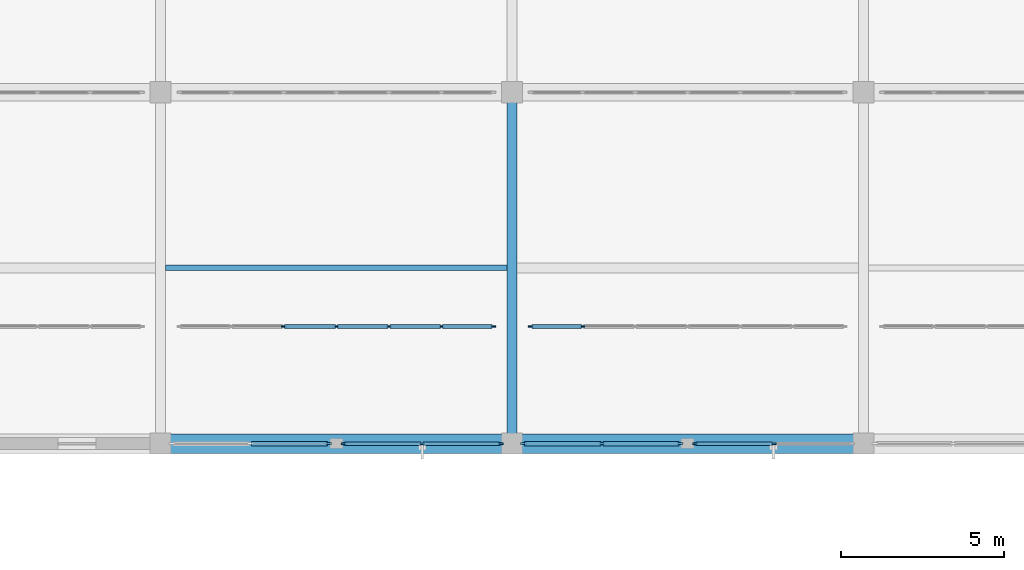
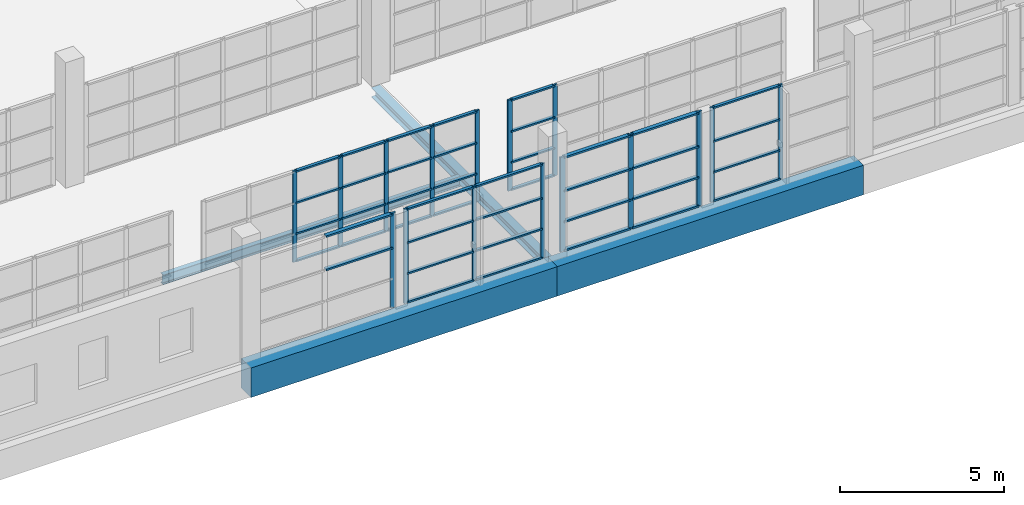
# One storey, part 44 of 142: 58 members, 4 beams, 6 elements without a shape of their own.
"""IFC4 building model written with IfcOpenShell, lengths in metres."""

from ifc_helpers import new_model, si_unit, direction, frame, origin, origin_2d, place, context, subcontext, project, spatial, rectangle, i_section, extrude, material, material_profile, profile_set, type_object, element, aggregate, save


model = new_model("IFC4")

# Units and contexts
model_context = context("Model", 3, precision=1e-05, world=origin(), true_north=direction((0.0, 1.0)))
body_context = subcontext(model_context, "Body", "Model", "MODEL_VIEW")
ifc_project = project(units=[si_unit("LENGTHUNIT", "METRE"), si_unit("AREAUNIT", "SQUARE_METRE"), si_unit("VOLUMEUNIT", "CUBIC_METRE"), si_unit("PLANEANGLEUNIT", "RADIAN"), si_unit("MASSUNIT", "GRAM", prefix="KILO")], contexts=[model_context])

# Site, building, storey
site_placement = place(None, origin())
site = spatial("IfcSite", under=ifc_project, at=site_placement, CompositionType="ELEMENT")
building_placement = place(site_placement, origin())
building = spatial("IfcBuilding", under=site, at=building_placement, Name="Zwinboog Wholesale Market", CompositionType="ELEMENT")
storey_placement = place(building_placement, frame((0.0, 0.0, 5.39990234375)))
storey = spatial("IfcBuildingStorey", under=building, at=storey_placement, Name="L01", CompositionType="ELEMENT", Elevation=5.39990234375)

# Beams
ifc_material_1 = material(Name="Precast concrete C45/55", Category="concrete")
ifc_material_profile_1 = material_profile(ifc_material_1, rectangle(XDim=0.60009765625, YDim=1.10009765625, at=origin_2d()), Name="PC 600x1100")
ifc_profile_set_1 = profile_set([ifc_material_profile_1], Name="Precast concrete C45/55")
beam_type_1 = type_object("IfcBeamType", Name="BT-01", PredefinedType="BEAM", material=ifc_profile_set_1)
for number, where, z_axis, x_axis, name in (
    (1, (108.0, 86.39990234375, -0.829833984375), (1.0, 0.0, 0.0), (0.0, 1.0, 0.0), "BG-01 (BMG-L01-1080-0864-0519)"),
    (2, (118.800048828125, 86.39990234375, -0.829833984375), (1.0, 0.0, 0.0), (0.0, 1.0, 0.0), "BG-01 (BMG-L01-1188-0864-0520)"),
):
    element("IfcBeam", number, at=place(storey_placement, frame(where, z_axis=z_axis, x_axis=x_axis)), inside=storey, type_object=beam_type_1, Name=name, PredefinedType="BEAM", context=body_context, shape_type="SweptSolid", body=[
        extrude(rectangle(XDim=0.60009765625, YDim=1.10009765625, at=origin_2d()), origin(), (0.0, 0.0, 1.0), 10.800048828125),
    ])
ifc_material_2 = material(Name="Steel S355", Category="steel")
ifc_material_profile_2 = material_profile(ifc_material_2, i_section(OverallWidth=0.300048828125, OverallDepth=0.35009765625, WebThickness=0.010009765625, FlangeThickness=0.017578125, FilletRadius=0.027099609375, at=origin_2d()), Name="HEA 360")
ifc_profile_set_2 = profile_set([ifc_material_profile_2], Name="Steel S355")
beam_type_2 = type_object("IfcBeamType", Name="BT-17", PredefinedType="BEAM", material=ifc_profile_set_2)
beam_1_placement = place(storey_placement, frame((118.800048828125, 86.39990234375, -0.454833984375), z_axis=(0.0, 1.0, 0.0), x_axis=(-1.0, 0.0, 0.0)))
element("IfcBeam", 3, at=beam_1_placement, inside=storey, type_object=beam_type_2, Name="SB-04 (BMG-L01-1188-0864-0699)", PredefinedType="BEAM", context=body_context, shape_type="SweptSolid", body=[
    extrude(i_section(OverallWidth=0.300048828125, OverallDepth=0.35009765625, WebThickness=0.010009765625, FlangeThickness=0.017578125, FilletRadius=0.027099609375, at=origin_2d()), origin(), (0.0, 0.0, 1.0), 10.800048828125),
])
ifc_material_profile_3 = material_profile(ifc_material_2, i_section(OverallWidth=0.169921875, OverallDepth=0.360107421875, WebThickness=0.008056640625, FlangeThickness=0.0126953125, FilletRadius=0.01806640625, at=origin_2d()), Name="IPE 360")
ifc_profile_set_3 = profile_set([ifc_material_profile_3], Name="Steel S355")
beam_type_3 = type_object("IfcBeamType", Name="BT-20", PredefinedType="JOIST", material=ifc_profile_set_3)
beam_2_placement = place(storey_placement, frame((108.14990234375, 91.800048828125, -0.4599609375), z_axis=(1.0, 0.0, 0.0), x_axis=(0.0, 1.0, 0.0)))
element("IfcBeam", 4, at=beam_2_placement, inside=storey, type_object=beam_type_3, Name="SJ-03 (BMG-L01-1082-0918-0838)", PredefinedType="JOIST", context=body_context, shape_type="SweptSolid", body=[
    extrude(i_section(OverallWidth=0.169921875, OverallDepth=0.360107421875, WebThickness=0.008056640625, FlangeThickness=0.0126953125, FilletRadius=0.01806640625, at=origin_2d()), origin(), (0.0, 0.0, 1.0), 10.5),
])

# Curtain wall, member
ifc_material_3 = material(Name="Aluminium thermally broken curtain wall", Category="aluminium")
curtain_wall_type_1 = type_object("IfcCurtainWallType", Name="CWT-CAFE-22", PredefinedType="USERDEFINED", material=ifc_material_3)
curtain_wall_1_placement = place(storey_placement, origin())
curtain_wall_1 = element("IfcCurtainWall", 5, at=curtain_wall_1_placement, inside=storey, type_object=curtain_wall_type_1, Name="CW-05 (CW-L01-107)", ObjectType="STOREFRONT_GLAZING", PredefinedType="USERDEFINED")
ifc_material_4 = material(Name="Aluminium EN AW-6060", Category="aluminium")
ifc_material_profile_4 = material_profile(ifc_material_4, rectangle(XDim=0.06494140625, YDim=0.179931640625, at=origin_2d()), Name="AL 65x180")
ifc_profile_set_4 = profile_set([ifc_material_profile_4], Name="Aluminium EN AW-6060")
member_type_1 = type_object("IfcMemberType", Name="CWM-65x180", PredefinedType="MULLION", material=ifc_profile_set_4)
member_1_placement = place(storey_placement, frame((113.16748046875, 86.39990234375, 0.0), z_axis=(0.0, 0.0, 1.0), x_axis=(0.0, 1.0, 0.0)))
member_1 = element("IfcMember", 6, at=member_1_placement, type_object=member_type_1, Name="CW-05 mullion 3", PredefinedType="MULLION", context=body_context, shape_type="SweptSolid", body=[
    extrude(rectangle(XDim=0.06494140625, YDim=0.179931640625, at=origin_2d()), origin(), (0.0, 0.0, 1.0), 3.530029296875),
])

# Curtain wall, members
curtain_wall_2_placement = place(storey_placement, origin())
curtain_wall_2 = element("IfcCurtainWall", 7, at=curtain_wall_2_placement, inside=storey, type_object=curtain_wall_type_1, Name="CW-05 (CW-L01-113)", ObjectType="STOREFRONT_GLAZING", PredefinedType="USERDEFINED")
member_2_placement = place(storey_placement, frame((119.152587890625, 86.39990234375, 0.0), z_axis=(0.0, 0.0, 1.0), x_axis=(0.0, 1.0, 0.0)))
member_2 = element("IfcMember", 8, at=member_2_placement, type_object=member_type_1, Name="CW-05 mullion 1", PredefinedType="MULLION", context=body_context, shape_type="SweptSolid", body=[
    extrude(rectangle(XDim=0.06494140625, YDim=0.179931640625, at=origin_2d()), origin(), (0.0, 0.0, 1.0), 3.530029296875),
])
member_3_placement = place(storey_placement, frame((121.56005859375, 86.39990234375, 0.0), z_axis=(0.0, 0.0, 1.0), x_axis=(0.0, 1.0, 0.0)))
member_3 = element("IfcMember", 9, at=member_3_placement, type_object=member_type_1, Name="CW-05 mullion 2", PredefinedType="MULLION", context=body_context, shape_type="SweptSolid", body=[
    extrude(rectangle(XDim=0.06494140625, YDim=0.179931640625, at=origin_2d()), origin(), (0.0, 0.0, 1.0), 3.530029296875),
])
member_4_placement = place(storey_placement, frame((123.967529296875, 86.39990234375, 0.0), z_axis=(0.0, 0.0, 1.0), x_axis=(0.0, 1.0, 0.0)))
member_4 = element("IfcMember", 10, at=member_4_placement, type_object=member_type_1, Name="CW-05 mullion 3", PredefinedType="MULLION", context=body_context, shape_type="SweptSolid", body=[
    extrude(rectangle(XDim=0.06494140625, YDim=0.179931640625, at=origin_2d()), origin(), (0.0, 0.0, 1.0), 3.530029296875),
])

curtain_wall_type_2 = type_object("IfcCurtainWallType", Name="CWT-OFF-15", PredefinedType="USERDEFINED", material=ifc_material_3)
curtain_wall_3_placement = place(storey_placement, origin())
curtain_wall_3 = element("IfcCurtainWall", 11, at=curtain_wall_3_placement, inside=storey, type_object=curtain_wall_type_2, Name="CW-06 (CW-L01-108)", ObjectType="UNITIZED_CURTAIN_WALL", PredefinedType="USERDEFINED")
ifc_material_profile_5 = material_profile(ifc_material_4, rectangle(XDim=0.06005859375, YDim=0.14990234375, at=origin_2d()), Name="AL 60x150")
ifc_profile_set_5 = profile_set([ifc_material_profile_5], Name="Aluminium EN AW-6060")
member_type_2 = type_object("IfcMemberType", Name="CWM-60x150", PredefinedType="MULLION", material=ifc_profile_set_5)
member_5_placement = place(storey_placement, frame((113.6298828125, 86.39990234375, 0.0), z_axis=(0.0, 0.0, 1.0), x_axis=(0.0, 1.0, 0.0)))
member_5 = element("IfcMember", 12, at=member_5_placement, type_object=member_type_2, Name="CW-06 mullion 1", PredefinedType="MULLION", context=body_context, shape_type="SweptSolid", body=[
    extrude(rectangle(XDim=0.06005859375, YDim=0.14990234375, at=origin_2d()), origin(), (0.0, 0.0, 1.0), 3.530029296875),
])
member_6_placement = place(storey_placement, frame((116.0400390625, 86.39990234375, 0.0), z_axis=(0.0, 0.0, 1.0), x_axis=(0.0, 1.0, 0.0)))
member_6 = element("IfcMember", 13, at=member_6_placement, type_object=member_type_2, Name="CW-06 mullion 2", PredefinedType="MULLION", context=body_context, shape_type="SweptSolid", body=[
    extrude(rectangle(XDim=0.06005859375, YDim=0.14990234375, at=origin_2d()), origin(), (0.0, 0.0, 1.0), 3.530029296875),
])
member_7_placement = place(storey_placement, frame((118.449951171875, 86.39990234375, 0.0), z_axis=(0.0, 0.0, 1.0), x_axis=(0.0, 1.0, 0.0)))
member_7 = element("IfcMember", 14, at=member_7_placement, type_object=member_type_2, Name="CW-06 mullion 3", PredefinedType="MULLION", context=body_context, shape_type="SweptSolid", body=[
    extrude(rectangle(XDim=0.06005859375, YDim=0.14990234375, at=origin_2d()), origin(), (0.0, 0.0, 1.0), 3.530029296875),
])

curtain_wall_4_placement = place(storey_placement, origin())
curtain_wall_4 = element("IfcCurtainWall", 15, at=curtain_wall_4_placement, inside=storey, type_object=curtain_wall_type_2, Name="CW-06 (CW-L01-114)", ObjectType="UNITIZED_CURTAIN_WALL", PredefinedType="USERDEFINED")
member_8_placement = place(storey_placement, frame((124.429931640625, 86.39990234375, 0.0), z_axis=(0.0, 0.0, 1.0), x_axis=(0.0, 1.0, 0.0)))
member_8 = element("IfcMember", 16, at=member_8_placement, type_object=member_type_2, Name="CW-06 mullion 1", PredefinedType="MULLION", context=body_context, shape_type="SweptSolid", body=[
    extrude(rectangle(XDim=0.06005859375, YDim=0.14990234375, at=origin_2d()), origin(), (0.0, 0.0, 1.0), 3.530029296875),
])
member_9_placement = place(storey_placement, frame((126.840087890625, 86.39990234375, 0.0), z_axis=(0.0, 0.0, 1.0), x_axis=(0.0, 1.0, 0.0)))
member_9 = element("IfcMember", 17, at=member_9_placement, type_object=member_type_2, Name="CW-06 mullion 2", PredefinedType="MULLION", context=body_context, shape_type="SweptSolid", body=[
    extrude(rectangle(XDim=0.06005859375, YDim=0.14990234375, at=origin_2d()), origin(), (0.0, 0.0, 1.0), 3.530029296875),
])

# Member
ifc_material_profile_6 = material_profile(ifc_material_4, rectangle(XDim=0.139892578125, YDim=0.06494140625, at=origin_2d()), Name="AL 65x140")
ifc_profile_set_6 = profile_set([ifc_material_profile_6], Name="Aluminium EN AW-6060")
member_type_3 = type_object("IfcMemberType", Name="CWT-65x140", PredefinedType="USERDEFINED", material=ifc_profile_set_6)
member_10_placement = place(storey_placement, frame((110.79248046875, 86.39990234375, 2.25), z_axis=(1.0, 0.0, 0.0), x_axis=(0.0, 1.0, 0.0)))
member_10 = element("IfcMember", 18, at=member_10_placement, type_object=member_type_3, Name="CW-05 transom 2.3", ObjectType="TRANSOM", PredefinedType="USERDEFINED", context=body_context, shape_type="SweptSolid", body=[
    extrude(rectangle(XDim=0.139892578125, YDim=0.06494140625, at=origin_2d()), origin(), (0.0, 0.0, 1.0), 2.342529296875),
])

member_11_placement = place(storey_placement, frame((110.79248046875, 86.39990234375, 3.49755859375), z_axis=(1.0, 0.0, 0.0), x_axis=(0.0, 1.0, 0.0)))
member_11 = element("IfcMember", 19, at=member_11_placement, type_object=member_type_3, Name="CW-05 transom 2.4", ObjectType="TRANSOM", PredefinedType="USERDEFINED", context=body_context, shape_type="SweptSolid", body=[
    extrude(rectangle(XDim=0.139892578125, YDim=0.06494140625, at=origin_2d()), origin(), (0.0, 0.0, 1.0), 2.342529296875),
])

aggregate(curtain_wall_1, [member_1, member_10, member_11])

member_12_placement = place(storey_placement, frame((119.18505859375, 86.39990234375, 0.03271484375), z_axis=(1.0, 0.0, 0.0), x_axis=(0.0, 1.0, 0.0)))
member_12 = element("IfcMember", 20, at=member_12_placement, type_object=member_type_3, Name="CW-05 transom 1.1", ObjectType="TRANSOM", PredefinedType="USERDEFINED", context=body_context, shape_type="SweptSolid", body=[
    extrude(rectangle(XDim=0.139892578125, YDim=0.06494140625, at=origin_2d()), origin(), (0.0, 0.0, 1.0), 2.342529296875),
])

member_13_placement = place(storey_placement, frame((119.18505859375, 86.39990234375, 1.10009765625), z_axis=(1.0, 0.0, 0.0), x_axis=(0.0, 1.0, 0.0)))
member_13 = element("IfcMember", 21, at=member_13_placement, type_object=member_type_3, Name="CW-05 transom 1.2", ObjectType="TRANSOM", PredefinedType="USERDEFINED", context=body_context, shape_type="SweptSolid", body=[
    extrude(rectangle(XDim=0.139892578125, YDim=0.06494140625, at=origin_2d()), origin(), (0.0, 0.0, 1.0), 2.342529296875),
])

member_14_placement = place(storey_placement, frame((119.18505859375, 86.39990234375, 2.25), z_axis=(1.0, 0.0, 0.0), x_axis=(0.0, 1.0, 0.0)))
member_14 = element("IfcMember", 22, at=member_14_placement, type_object=member_type_3, Name="CW-05 transom 1.3", ObjectType="TRANSOM", PredefinedType="USERDEFINED", context=body_context, shape_type="SweptSolid", body=[
    extrude(rectangle(XDim=0.139892578125, YDim=0.06494140625, at=origin_2d()), origin(), (0.0, 0.0, 1.0), 2.342529296875),
])

member_15_placement = place(storey_placement, frame((119.18505859375, 86.39990234375, 3.49755859375), z_axis=(1.0, 0.0, 0.0), x_axis=(0.0, 1.0, 0.0)))
member_15 = element("IfcMember", 23, at=member_15_placement, type_object=member_type_3, Name="CW-05 transom 1.4", ObjectType="TRANSOM", PredefinedType="USERDEFINED", context=body_context, shape_type="SweptSolid", body=[
    extrude(rectangle(XDim=0.139892578125, YDim=0.06494140625, at=origin_2d()), origin(), (0.0, 0.0, 1.0), 2.342529296875),
])

member_16_placement = place(storey_placement, frame((121.592529296875, 86.39990234375, 0.03271484375), z_axis=(1.0, 0.0, 0.0), x_axis=(0.0, 1.0, 0.0)))
member_16 = element("IfcMember", 24, at=member_16_placement, type_object=member_type_3, Name="CW-05 transom 2.1", ObjectType="TRANSOM", PredefinedType="USERDEFINED", context=body_context, shape_type="SweptSolid", body=[
    extrude(rectangle(XDim=0.139892578125, YDim=0.06494140625, at=origin_2d()), origin(), (0.0, 0.0, 1.0), 2.342529296875),
])

member_17_placement = place(storey_placement, frame((121.592529296875, 86.39990234375, 1.10009765625), z_axis=(1.0, 0.0, 0.0), x_axis=(0.0, 1.0, 0.0)))
member_17 = element("IfcMember", 25, at=member_17_placement, type_object=member_type_3, Name="CW-05 transom 2.2", ObjectType="TRANSOM", PredefinedType="USERDEFINED", context=body_context, shape_type="SweptSolid", body=[
    extrude(rectangle(XDim=0.139892578125, YDim=0.06494140625, at=origin_2d()), origin(), (0.0, 0.0, 1.0), 2.342529296875),
])

member_18_placement = place(storey_placement, frame((121.592529296875, 86.39990234375, 2.25), z_axis=(1.0, 0.0, 0.0), x_axis=(0.0, 1.0, 0.0)))
member_18 = element("IfcMember", 26, at=member_18_placement, type_object=member_type_3, Name="CW-05 transom 2.3", ObjectType="TRANSOM", PredefinedType="USERDEFINED", context=body_context, shape_type="SweptSolid", body=[
    extrude(rectangle(XDim=0.139892578125, YDim=0.06494140625, at=origin_2d()), origin(), (0.0, 0.0, 1.0), 2.342529296875),
])

member_19_placement = place(storey_placement, frame((121.592529296875, 86.39990234375, 3.49755859375), z_axis=(1.0, 0.0, 0.0), x_axis=(0.0, 1.0, 0.0)))
member_19 = element("IfcMember", 27, at=member_19_placement, type_object=member_type_3, Name="CW-05 transom 2.4", ObjectType="TRANSOM", PredefinedType="USERDEFINED", context=body_context, shape_type="SweptSolid", body=[
    extrude(rectangle(XDim=0.139892578125, YDim=0.06494140625, at=origin_2d()), origin(), (0.0, 0.0, 1.0), 2.342529296875),
])

aggregate(curtain_wall_2, [member_2, member_3, member_4, member_12, member_13, member_14, member_15, member_16, member_17, member_18, member_19])

ifc_material_profile_7 = material_profile(ifc_material_4, rectangle(XDim=0.110107421875, YDim=0.06005859375, at=origin_2d()), Name="AL 60x110")
ifc_profile_set_7 = profile_set([ifc_material_profile_7], Name="Aluminium EN AW-6060")
member_type_4 = type_object("IfcMemberType", Name="CWT-60x110", PredefinedType="USERDEFINED", material=ifc_profile_set_7)
member_20_placement = place(storey_placement, frame((113.659912109375, 86.39990234375, 0.030029296875), z_axis=(1.0, 0.0, 0.0), x_axis=(0.0, 1.0, 0.0)))
member_20 = element("IfcMember", 28, at=member_20_placement, type_object=member_type_4, Name="CW-06 transom 1.1", ObjectType="TRANSOM", PredefinedType="USERDEFINED", context=body_context, shape_type="SweptSolid", body=[
    extrude(rectangle(XDim=0.110107421875, YDim=0.06005859375, at=origin_2d()), origin(), (0.0, 0.0, 1.0), 2.35009765625),
])

member_21_placement = place(storey_placement, frame((113.659912109375, 86.39990234375, 1.10009765625), z_axis=(1.0, 0.0, 0.0), x_axis=(0.0, 1.0, 0.0)))
member_21 = element("IfcMember", 29, at=member_21_placement, type_object=member_type_4, Name="CW-06 transom 1.2", ObjectType="TRANSOM", PredefinedType="USERDEFINED", context=body_context, shape_type="SweptSolid", body=[
    extrude(rectangle(XDim=0.110107421875, YDim=0.06005859375, at=origin_2d()), origin(), (0.0, 0.0, 1.0), 2.35009765625),
])

member_22_placement = place(storey_placement, frame((113.659912109375, 86.39990234375, 2.25), z_axis=(1.0, 0.0, 0.0), x_axis=(0.0, 1.0, 0.0)))
member_22 = element("IfcMember", 30, at=member_22_placement, type_object=member_type_4, Name="CW-06 transom 1.3", ObjectType="TRANSOM", PredefinedType="USERDEFINED", context=body_context, shape_type="SweptSolid", body=[
    extrude(rectangle(XDim=0.110107421875, YDim=0.06005859375, at=origin_2d()), origin(), (0.0, 0.0, 1.0), 2.35009765625),
])

member_23_placement = place(storey_placement, frame((113.659912109375, 86.39990234375, 3.5), z_axis=(1.0, 0.0, 0.0), x_axis=(0.0, 1.0, 0.0)))
member_23 = element("IfcMember", 31, at=member_23_placement, type_object=member_type_4, Name="CW-06 transom 1.4", ObjectType="TRANSOM", PredefinedType="USERDEFINED", context=body_context, shape_type="SweptSolid", body=[
    extrude(rectangle(XDim=0.110107421875, YDim=0.06005859375, at=origin_2d()), origin(), (0.0, 0.0, 1.0), 2.35009765625),
])

member_24_placement = place(storey_placement, frame((116.070068359375, 86.39990234375, 0.030029296875), z_axis=(1.0, 0.0, 0.0), x_axis=(0.0, 1.0, 0.0)))
member_24 = element("IfcMember", 32, at=member_24_placement, type_object=member_type_4, Name="CW-06 transom 2.1", ObjectType="TRANSOM", PredefinedType="USERDEFINED", context=body_context, shape_type="SweptSolid", body=[
    extrude(rectangle(XDim=0.110107421875, YDim=0.06005859375, at=origin_2d()), origin(), (0.0, 0.0, 1.0), 2.349853515625),
])

member_25_placement = place(storey_placement, frame((116.070068359375, 86.39990234375, 1.10009765625), z_axis=(1.0, 0.0, 0.0), x_axis=(0.0, 1.0, 0.0)))
member_25 = element("IfcMember", 33, at=member_25_placement, type_object=member_type_4, Name="CW-06 transom 2.2", ObjectType="TRANSOM", PredefinedType="USERDEFINED", context=body_context, shape_type="SweptSolid", body=[
    extrude(rectangle(XDim=0.110107421875, YDim=0.06005859375, at=origin_2d()), origin(), (0.0, 0.0, 1.0), 2.349853515625),
])

member_26_placement = place(storey_placement, frame((116.070068359375, 86.39990234375, 2.25), z_axis=(1.0, 0.0, 0.0), x_axis=(0.0, 1.0, 0.0)))
member_26 = element("IfcMember", 34, at=member_26_placement, type_object=member_type_4, Name="CW-06 transom 2.3", ObjectType="TRANSOM", PredefinedType="USERDEFINED", context=body_context, shape_type="SweptSolid", body=[
    extrude(rectangle(XDim=0.110107421875, YDim=0.06005859375, at=origin_2d()), origin(), (0.0, 0.0, 1.0), 2.349853515625),
])

member_27_placement = place(storey_placement, frame((116.070068359375, 86.39990234375, 3.5), z_axis=(1.0, 0.0, 0.0), x_axis=(0.0, 1.0, 0.0)))
member_27 = element("IfcMember", 35, at=member_27_placement, type_object=member_type_4, Name="CW-06 transom 2.4", ObjectType="TRANSOM", PredefinedType="USERDEFINED", context=body_context, shape_type="SweptSolid", body=[
    extrude(rectangle(XDim=0.110107421875, YDim=0.06005859375, at=origin_2d()), origin(), (0.0, 0.0, 1.0), 2.349853515625),
])

aggregate(curtain_wall_3, [member_5, member_6, member_7, member_20, member_21, member_22, member_23, member_24, member_25, member_26, member_27])

member_28_placement = place(storey_placement, frame((124.4599609375, 86.39990234375, 0.030029296875), z_axis=(1.0, 0.0, 0.0), x_axis=(0.0, 1.0, 0.0)))
member_28 = element("IfcMember", 36, at=member_28_placement, type_object=member_type_4, Name="CW-06 transom 1.1", ObjectType="TRANSOM", PredefinedType="USERDEFINED", context=body_context, shape_type="SweptSolid", body=[
    extrude(rectangle(XDim=0.110107421875, YDim=0.06005859375, at=origin_2d()), origin(), (0.0, 0.0, 1.0), 2.35009765625),
])

member_29_placement = place(storey_placement, frame((124.4599609375, 86.39990234375, 1.10009765625), z_axis=(1.0, 0.0, 0.0), x_axis=(0.0, 1.0, 0.0)))
member_29 = element("IfcMember", 37, at=member_29_placement, type_object=member_type_4, Name="CW-06 transom 1.2", ObjectType="TRANSOM", PredefinedType="USERDEFINED", context=body_context, shape_type="SweptSolid", body=[
    extrude(rectangle(XDim=0.110107421875, YDim=0.06005859375, at=origin_2d()), origin(), (0.0, 0.0, 1.0), 2.35009765625),
])

member_30_placement = place(storey_placement, frame((124.4599609375, 86.39990234375, 2.25), z_axis=(1.0, 0.0, 0.0), x_axis=(0.0, 1.0, 0.0)))
member_30 = element("IfcMember", 38, at=member_30_placement, type_object=member_type_4, Name="CW-06 transom 1.3", ObjectType="TRANSOM", PredefinedType="USERDEFINED", context=body_context, shape_type="SweptSolid", body=[
    extrude(rectangle(XDim=0.110107421875, YDim=0.06005859375, at=origin_2d()), origin(), (0.0, 0.0, 1.0), 2.35009765625),
])

member_31_placement = place(storey_placement, frame((124.4599609375, 86.39990234375, 3.5), z_axis=(1.0, 0.0, 0.0), x_axis=(0.0, 1.0, 0.0)))
member_31 = element("IfcMember", 39, at=member_31_placement, type_object=member_type_4, Name="CW-06 transom 1.4", ObjectType="TRANSOM", PredefinedType="USERDEFINED", context=body_context, shape_type="SweptSolid", body=[
    extrude(rectangle(XDim=0.110107421875, YDim=0.06005859375, at=origin_2d()), origin(), (0.0, 0.0, 1.0), 2.35009765625),
])

aggregate(curtain_wall_4, [member_8, member_9, member_28, member_29, member_30, member_31])

# Curtain wall, members
curtain_wall_type_3 = type_object("IfcCurtainWallType", Name="CWT-INT-STALL", PredefinedType="USERDEFINED", material=ifc_material_3)
curtain_wall_5_placement = place(storey_placement, origin())
curtain_wall_5 = element("IfcCurtainWall", 40, at=curtain_wall_5_placement, inside=storey, type_object=curtain_wall_type_3, Name="CW-07 (CW-STL-239)", ObjectType="STOREFRONT_GLAZING", PredefinedType="USERDEFINED")
ifc_material_profile_8 = material_profile(ifc_material_4, rectangle(XDim=0.06005859375, YDim=0.14990234375, at=origin_2d()), Name="AL 60x150")
ifc_profile_set_8 = profile_set([ifc_material_profile_8], Name="Aluminium EN AW-6060")
member_type_5 = type_object("IfcMemberType", Name="CWM-INT-60x120", PredefinedType="MULLION", material=ifc_profile_set_8)
member_32_placement = place(storey_placement, frame((111.783447265625, 90.0, 0.0), z_axis=(0.0, 0.0, 1.0), x_axis=(0.0, 1.0, 0.0)))
member_32 = element("IfcMember", 41, at=member_32_placement, type_object=member_type_5, Name="CW-07 mullion 3", PredefinedType="MULLION", context=body_context, shape_type="SweptSolid", body=[
    extrude(rectangle(XDim=0.06005859375, YDim=0.14990234375, at=origin_2d()), origin(), (0.0, 0.0, 1.0), 3.400146484375),
])
member_33_placement = place(storey_placement, frame((113.39990234375, 90.0, 0.0), z_axis=(0.0, 0.0, 1.0), x_axis=(0.0, 1.0, 0.0)))
member_33 = element("IfcMember", 42, at=member_33_placement, type_object=member_type_5, Name="CW-07 mullion 4", PredefinedType="MULLION", context=body_context, shape_type="SweptSolid", body=[
    extrude(rectangle(XDim=0.06005859375, YDim=0.14990234375, at=origin_2d()), origin(), (0.0, 0.0, 1.0), 3.400146484375),
])
member_34_placement = place(storey_placement, frame((115.0166015625, 90.0, 0.0), z_axis=(0.0, 0.0, 1.0), x_axis=(0.0, 1.0, 0.0)))
member_34 = element("IfcMember", 43, at=member_34_placement, type_object=member_type_5, Name="CW-07 mullion 5", PredefinedType="MULLION", context=body_context, shape_type="SweptSolid", body=[
    extrude(rectangle(XDim=0.06005859375, YDim=0.14990234375, at=origin_2d()), origin(), (0.0, 0.0, 1.0), 3.400146484375),
])
member_35_placement = place(storey_placement, frame((116.63330078125, 90.0, 0.0), z_axis=(0.0, 0.0, 1.0), x_axis=(0.0, 1.0, 0.0)))
member_35 = element("IfcMember", 44, at=member_35_placement, type_object=member_type_5, Name="CW-07 mullion 6", PredefinedType="MULLION", context=body_context, shape_type="SweptSolid", body=[
    extrude(rectangle(XDim=0.06005859375, YDim=0.14990234375, at=origin_2d()), origin(), (0.0, 0.0, 1.0), 3.400146484375),
])
member_36_placement = place(storey_placement, frame((118.219970703125, 90.0, 0.0), z_axis=(0.0, 0.0, 1.0), x_axis=(0.0, 1.0, 0.0)))
member_36 = element("IfcMember", 45, at=member_36_placement, type_object=member_type_5, Name="CW-07 mullion 7", PredefinedType="MULLION", context=body_context, shape_type="SweptSolid", body=[
    extrude(rectangle(XDim=0.06005859375, YDim=0.14990234375, at=origin_2d()), origin(), (0.0, 0.0, 1.0), 3.400146484375),
])

curtain_wall_6_placement = place(storey_placement, origin())
curtain_wall_6 = element("IfcCurtainWall", 46, at=curtain_wall_6_placement, inside=storey, type_object=curtain_wall_type_3, Name="CW-07 (CW-STL-240)", ObjectType="STOREFRONT_GLAZING", PredefinedType="USERDEFINED")
member_37_placement = place(storey_placement, frame((119.3798828125, 90.0, 0.0), z_axis=(0.0, 0.0, 1.0), x_axis=(0.0, 1.0, 0.0)))
member_37 = element("IfcMember", 47, at=member_37_placement, type_object=member_type_5, Name="CW-07 mullion 1", PredefinedType="MULLION", context=body_context, shape_type="SweptSolid", body=[
    extrude(rectangle(XDim=0.06005859375, YDim=0.14990234375, at=origin_2d()), origin(), (0.0, 0.0, 1.0), 3.400146484375),
])
member_38_placement = place(storey_placement, frame((120.966552734375, 90.0, 0.0), z_axis=(0.0, 0.0, 1.0), x_axis=(0.0, 1.0, 0.0)))
member_38 = element("IfcMember", 48, at=member_38_placement, type_object=member_type_5, Name="CW-07 mullion 2", PredefinedType="MULLION", context=body_context, shape_type="SweptSolid", body=[
    extrude(rectangle(XDim=0.06005859375, YDim=0.14990234375, at=origin_2d()), origin(), (0.0, 0.0, 1.0), 3.400146484375),
])

# Member
ifc_material_profile_9 = material_profile(ifc_material_4, rectangle(XDim=0.110107421875, YDim=0.06005859375, at=origin_2d()), Name="AL 60x110")
ifc_profile_set_9 = profile_set([ifc_material_profile_9], Name="Aluminium EN AW-6060")
member_type_6 = type_object("IfcMemberType", Name="CWT-INT-60x100", PredefinedType="USERDEFINED", material=ifc_profile_set_9)
member_39_placement = place(storey_placement, frame((111.813232421875, 90.0, 0.030029296875), z_axis=(1.0, 0.0, 0.0), x_axis=(0.0, 1.0, 0.0)))
member_39 = element("IfcMember", 49, at=member_39_placement, type_object=member_type_6, Name="CW-07 transom 3.1", ObjectType="TRANSOM", PredefinedType="USERDEFINED", context=body_context, shape_type="SweptSolid", body=[
    extrude(rectangle(XDim=0.110107421875, YDim=0.06005859375, at=origin_2d()), origin(), (0.0, 0.0, 1.0), 1.556884765625),
])

member_40_placement = place(storey_placement, frame((111.813232421875, 90.0, 1.050048828125), z_axis=(1.0, 0.0, 0.0), x_axis=(0.0, 1.0, 0.0)))
member_40 = element("IfcMember", 50, at=member_40_placement, type_object=member_type_6, Name="CW-07 transom 3.2", ObjectType="TRANSOM", PredefinedType="USERDEFINED", context=body_context, shape_type="SweptSolid", body=[
    extrude(rectangle(XDim=0.110107421875, YDim=0.06005859375, at=origin_2d()), origin(), (0.0, 0.0, 1.0), 1.556884765625),
])

member_41_placement = place(storey_placement, frame((111.813232421875, 90.0, 2.2001953125), z_axis=(1.0, 0.0, 0.0), x_axis=(0.0, 1.0, 0.0)))
member_41 = element("IfcMember", 51, at=member_41_placement, type_object=member_type_6, Name="CW-07 transom 3.3", ObjectType="TRANSOM", PredefinedType="USERDEFINED", context=body_context, shape_type="SweptSolid", body=[
    extrude(rectangle(XDim=0.110107421875, YDim=0.06005859375, at=origin_2d()), origin(), (0.0, 0.0, 1.0), 1.556884765625),
])

member_42_placement = place(storey_placement, frame((111.813232421875, 90.0, 3.3701171875), z_axis=(1.0, 0.0, 0.0), x_axis=(0.0, 1.0, 0.0)))
member_42 = element("IfcMember", 52, at=member_42_placement, type_object=member_type_6, Name="CW-07 transom 3.4", ObjectType="TRANSOM", PredefinedType="USERDEFINED", context=body_context, shape_type="SweptSolid", body=[
    extrude(rectangle(XDim=0.110107421875, YDim=0.06005859375, at=origin_2d()), origin(), (0.0, 0.0, 1.0), 1.556884765625),
])

member_43_placement = place(storey_placement, frame((113.429931640625, 90.0, 0.030029296875), z_axis=(1.0, 0.0, 0.0), x_axis=(0.0, 1.0, 0.0)))
member_43 = element("IfcMember", 53, at=member_43_placement, type_object=member_type_6, Name="CW-07 transom 4.1", ObjectType="TRANSOM", PredefinedType="USERDEFINED", context=body_context, shape_type="SweptSolid", body=[
    extrude(rectangle(XDim=0.110107421875, YDim=0.06005859375, at=origin_2d()), origin(), (0.0, 0.0, 1.0), 1.556640625),
])

member_44_placement = place(storey_placement, frame((113.429931640625, 90.0, 1.050048828125), z_axis=(1.0, 0.0, 0.0), x_axis=(0.0, 1.0, 0.0)))
member_44 = element("IfcMember", 54, at=member_44_placement, type_object=member_type_6, Name="CW-07 transom 4.2", ObjectType="TRANSOM", PredefinedType="USERDEFINED", context=body_context, shape_type="SweptSolid", body=[
    extrude(rectangle(XDim=0.110107421875, YDim=0.06005859375, at=origin_2d()), origin(), (0.0, 0.0, 1.0), 1.556640625),
])

member_45_placement = place(storey_placement, frame((113.429931640625, 90.0, 2.2001953125), z_axis=(1.0, 0.0, 0.0), x_axis=(0.0, 1.0, 0.0)))
member_45 = element("IfcMember", 55, at=member_45_placement, type_object=member_type_6, Name="CW-07 transom 4.3", ObjectType="TRANSOM", PredefinedType="USERDEFINED", context=body_context, shape_type="SweptSolid", body=[
    extrude(rectangle(XDim=0.110107421875, YDim=0.06005859375, at=origin_2d()), origin(), (0.0, 0.0, 1.0), 1.556640625),
])

member_46_placement = place(storey_placement, frame((113.429931640625, 90.0, 3.3701171875), z_axis=(1.0, 0.0, 0.0), x_axis=(0.0, 1.0, 0.0)))
member_46 = element("IfcMember", 56, at=member_46_placement, type_object=member_type_6, Name="CW-07 transom 4.4", ObjectType="TRANSOM", PredefinedType="USERDEFINED", context=body_context, shape_type="SweptSolid", body=[
    extrude(rectangle(XDim=0.110107421875, YDim=0.06005859375, at=origin_2d()), origin(), (0.0, 0.0, 1.0), 1.556640625),
])

member_47_placement = place(storey_placement, frame((115.046630859375, 90.0, 0.030029296875), z_axis=(1.0, 0.0, 0.0), x_axis=(0.0, 1.0, 0.0)))
member_47 = element("IfcMember", 57, at=member_47_placement, type_object=member_type_6, Name="CW-07 transom 5.1", ObjectType="TRANSOM", PredefinedType="USERDEFINED", context=body_context, shape_type="SweptSolid", body=[
    extrude(rectangle(XDim=0.110107421875, YDim=0.06005859375, at=origin_2d()), origin(), (0.0, 0.0, 1.0), 1.556640625),
])

member_48_placement = place(storey_placement, frame((115.046630859375, 90.0, 1.050048828125), z_axis=(1.0, 0.0, 0.0), x_axis=(0.0, 1.0, 0.0)))
member_48 = element("IfcMember", 58, at=member_48_placement, type_object=member_type_6, Name="CW-07 transom 5.2", ObjectType="TRANSOM", PredefinedType="USERDEFINED", context=body_context, shape_type="SweptSolid", body=[
    extrude(rectangle(XDim=0.110107421875, YDim=0.06005859375, at=origin_2d()), origin(), (0.0, 0.0, 1.0), 1.556640625),
])

member_49_placement = place(storey_placement, frame((115.046630859375, 90.0, 2.2001953125), z_axis=(1.0, 0.0, 0.0), x_axis=(0.0, 1.0, 0.0)))
member_49 = element("IfcMember", 59, at=member_49_placement, type_object=member_type_6, Name="CW-07 transom 5.3", ObjectType="TRANSOM", PredefinedType="USERDEFINED", context=body_context, shape_type="SweptSolid", body=[
    extrude(rectangle(XDim=0.110107421875, YDim=0.06005859375, at=origin_2d()), origin(), (0.0, 0.0, 1.0), 1.556640625),
])

member_50_placement = place(storey_placement, frame((115.046630859375, 90.0, 3.3701171875), z_axis=(1.0, 0.0, 0.0), x_axis=(0.0, 1.0, 0.0)))
member_50 = element("IfcMember", 60, at=member_50_placement, type_object=member_type_6, Name="CW-07 transom 5.4", ObjectType="TRANSOM", PredefinedType="USERDEFINED", context=body_context, shape_type="SweptSolid", body=[
    extrude(rectangle(XDim=0.110107421875, YDim=0.06005859375, at=origin_2d()), origin(), (0.0, 0.0, 1.0), 1.556640625),
])

member_51_placement = place(storey_placement, frame((116.663330078125, 90.0, 0.030029296875), z_axis=(1.0, 0.0, 0.0), x_axis=(0.0, 1.0, 0.0)))
member_51 = element("IfcMember", 61, at=member_51_placement, type_object=member_type_6, Name="CW-07 transom 6.1", ObjectType="TRANSOM", PredefinedType="USERDEFINED", context=body_context, shape_type="SweptSolid", body=[
    extrude(rectangle(XDim=0.110107421875, YDim=0.06005859375, at=origin_2d()), origin(), (0.0, 0.0, 1.0), 1.526611328125),
])

member_52_placement = place(storey_placement, frame((116.663330078125, 90.0, 1.050048828125), z_axis=(1.0, 0.0, 0.0), x_axis=(0.0, 1.0, 0.0)))
member_52 = element("IfcMember", 62, at=member_52_placement, type_object=member_type_6, Name="CW-07 transom 6.2", ObjectType="TRANSOM", PredefinedType="USERDEFINED", context=body_context, shape_type="SweptSolid", body=[
    extrude(rectangle(XDim=0.110107421875, YDim=0.06005859375, at=origin_2d()), origin(), (0.0, 0.0, 1.0), 1.526611328125),
])

member_53_placement = place(storey_placement, frame((116.663330078125, 90.0, 2.2001953125), z_axis=(1.0, 0.0, 0.0), x_axis=(0.0, 1.0, 0.0)))
member_53 = element("IfcMember", 63, at=member_53_placement, type_object=member_type_6, Name="CW-07 transom 6.3", ObjectType="TRANSOM", PredefinedType="USERDEFINED", context=body_context, shape_type="SweptSolid", body=[
    extrude(rectangle(XDim=0.110107421875, YDim=0.06005859375, at=origin_2d()), origin(), (0.0, 0.0, 1.0), 1.526611328125),
])

member_54_placement = place(storey_placement, frame((116.663330078125, 90.0, 3.3701171875), z_axis=(1.0, 0.0, 0.0), x_axis=(0.0, 1.0, 0.0)))
member_54 = element("IfcMember", 64, at=member_54_placement, type_object=member_type_6, Name="CW-07 transom 6.4", ObjectType="TRANSOM", PredefinedType="USERDEFINED", context=body_context, shape_type="SweptSolid", body=[
    extrude(rectangle(XDim=0.110107421875, YDim=0.06005859375, at=origin_2d()), origin(), (0.0, 0.0, 1.0), 1.526611328125),
])

aggregate(curtain_wall_5, [member_32, member_33, member_34, member_35, member_36, member_39, member_40, member_41, member_42, member_43, member_44, member_45, member_46, member_47, member_48, member_49, member_50, member_51, member_52, member_53, member_54])

member_55_placement = place(storey_placement, frame((119.409912109375, 90.0, 0.030029296875), z_axis=(1.0, 0.0, 0.0), x_axis=(0.0, 1.0, 0.0)))
member_55 = element("IfcMember", 65, at=member_55_placement, type_object=member_type_6, Name="CW-07 transom 1.1", ObjectType="TRANSOM", PredefinedType="USERDEFINED", context=body_context, shape_type="SweptSolid", body=[
    extrude(rectangle(XDim=0.110107421875, YDim=0.06005859375, at=origin_2d()), origin(), (0.0, 0.0, 1.0), 1.52685546875),
])

member_56_placement = place(storey_placement, frame((119.409912109375, 90.0, 1.050048828125), z_axis=(1.0, 0.0, 0.0), x_axis=(0.0, 1.0, 0.0)))
member_56 = element("IfcMember", 66, at=member_56_placement, type_object=member_type_6, Name="CW-07 transom 1.2", ObjectType="TRANSOM", PredefinedType="USERDEFINED", context=body_context, shape_type="SweptSolid", body=[
    extrude(rectangle(XDim=0.110107421875, YDim=0.06005859375, at=origin_2d()), origin(), (0.0, 0.0, 1.0), 1.52685546875),
])

member_57_placement = place(storey_placement, frame((119.409912109375, 90.0, 2.2001953125), z_axis=(1.0, 0.0, 0.0), x_axis=(0.0, 1.0, 0.0)))
member_57 = element("IfcMember", 67, at=member_57_placement, type_object=member_type_6, Name="CW-07 transom 1.3", ObjectType="TRANSOM", PredefinedType="USERDEFINED", context=body_context, shape_type="SweptSolid", body=[
    extrude(rectangle(XDim=0.110107421875, YDim=0.06005859375, at=origin_2d()), origin(), (0.0, 0.0, 1.0), 1.52685546875),
])

member_58_placement = place(storey_placement, frame((119.409912109375, 90.0, 3.3701171875), z_axis=(1.0, 0.0, 0.0), x_axis=(0.0, 1.0, 0.0)))
member_58 = element("IfcMember", 68, at=member_58_placement, type_object=member_type_6, Name="CW-07 transom 1.4", ObjectType="TRANSOM", PredefinedType="USERDEFINED", context=body_context, shape_type="SweptSolid", body=[
    extrude(rectangle(XDim=0.110107421875, YDim=0.06005859375, at=origin_2d()), origin(), (0.0, 0.0, 1.0), 1.52685546875),
])

aggregate(curtain_wall_6, [member_37, member_38, member_55, member_56, member_57, member_58])

save(model, "model.ifc")
